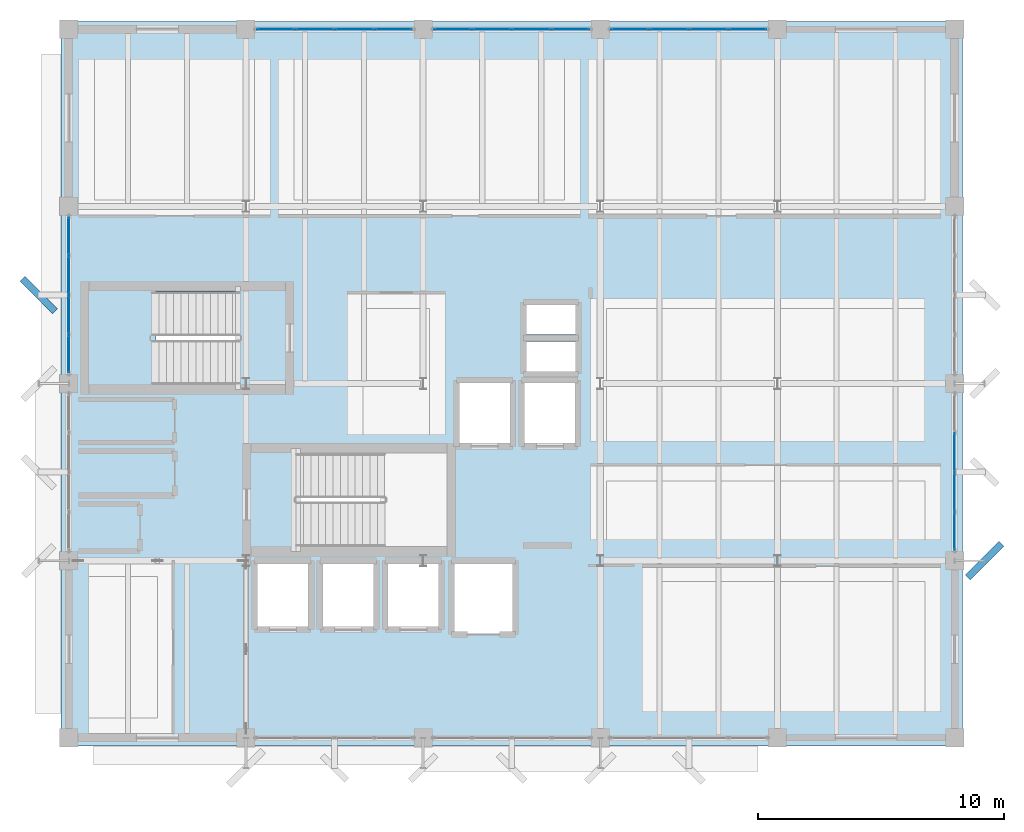
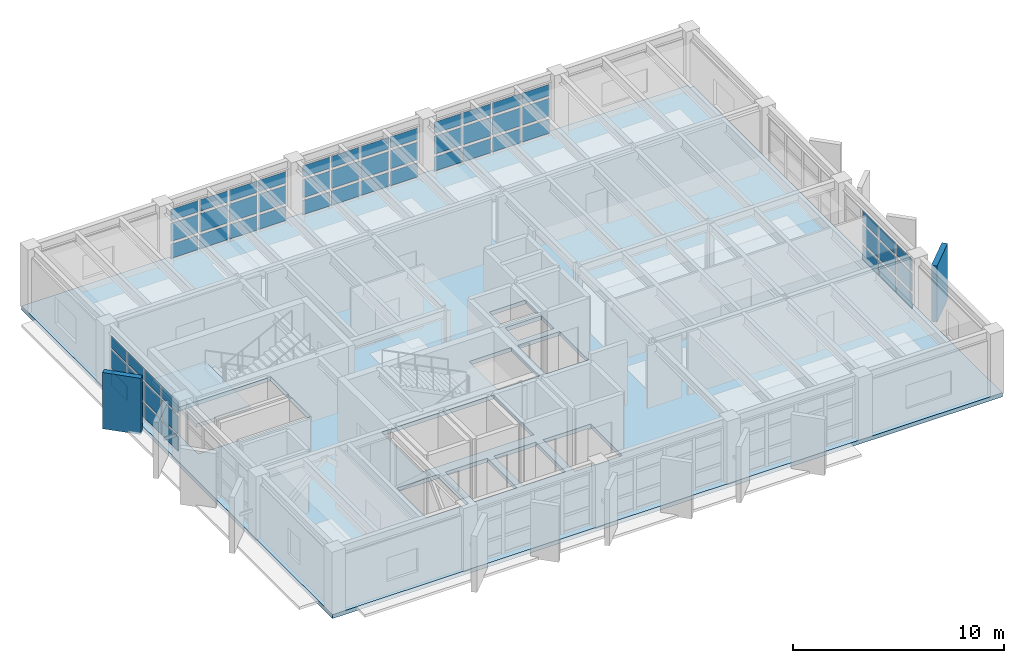
# One storey, part 15 of 24: 59 plates, 2 slabs, 6 elements without a shape of their own.
"""IFC4 building model written with IfcOpenShell, lengths in metres."""

import ifcopenshell
import ifcopenshell.guid

model = None  # the IFC model being written
_history = None  # IfcOwnerHistory: only IFC2X3 demands one
_inside = {}  # id of a spatial element -> (the spatial element, [elements in it])
_under = {}  # id of a project, library or spatial element -> (it, [spatial elements below it])
_declared = {}  # id of a project -> (the project, [libraries it declares])
_typed = {}  # id of a type object -> (the type object, [elements of that type])
_made_of = {}  # id of a material, layer set ... -> (it, [elements and type objects made of it])


def new_model(schema):
    """Start an empty IFC model of exactly this schema.

    Asked for "IFC4X3", IfcOpenShell would pick the latest addendum, in which some entities
    have other attributes; the version numbers below select the first issue.
    IFC2X3 requires an IfcOwnerHistory on every rooted entity: one is made here for all.
    """
    global model, _history
    if schema == "IFC4X3":
        model = ifcopenshell.file(schema_version=(4, 3, 0, 0))
    else:
        model = ifcopenshell.file(schema=schema)
    _inside.clear()
    _under.clear()
    _declared.clear()
    _typed.clear()
    _made_of.clear()
    _history = None
    if model.schema == "IFC2X3":
        org = make("IfcOrganization", Name="unknown")
        user = make(
            "IfcPersonAndOrganization",
            ThePerson=make("IfcPerson", FamilyName="unknown"),
            TheOrganization=org,
        )
        app = make(
            "IfcApplication",
            ApplicationDeveloper=org,
            Version="unknown",
            ApplicationFullName="unknown",
            ApplicationIdentifier="unknown",
        )
        _history = make(
            "IfcOwnerHistory",
            OwningUser=user,
            OwningApplication=app,
            ChangeAction="ADDED",
            CreationDate=0,
        )
    return model


def make(cls, **values):
    """One entity of the class cls with the attributes given. An attribute that is None is left unset."""
    return model.create_entity(
        cls, **{name: value for name, value in values.items() if value is not None}
    )


def rooted(cls, **values):
    """An entity with a GlobalId (a new one), such as an element, a storey or a relation."""
    return make(cls, GlobalId=ifcopenshell.guid.new(), OwnerHistory=_history, **values)


def si_unit(unit_type, name, prefix=None):
    """IfcSIUnit, for example si_unit("LENGTHUNIT", "METRE", prefix="MILLI")."""
    return make("IfcSIUnit", UnitType=unit_type, Prefix=prefix, Name=name)


def assignment(units):
    """IfcUnitAssignment: the units of a project."""
    return None if units is None else make("IfcUnitAssignment", Units=units)


def point(xyz):
    """IfcCartesianPoint."""
    return None if xyz is None else make("IfcCartesianPoint", Coordinates=xyz)


def direction(xyz):
    """IfcDirection."""
    return None if xyz is None else make("IfcDirection", DirectionRatios=xyz)


def frame(location, z_axis=None, x_axis=None):
    """IfcAxis2Placement3D, a coordinate frame: its origin and axes. An axis left out is left unset."""
    return make(
        "IfcAxis2Placement3D",
        Location=point(location),
        Axis=direction(z_axis),
        RefDirection=direction(x_axis),
    )


def frame_2d(location, x_axis=None):
    """IfcAxis2Placement2D, a coordinate frame in the plane: its origin and x axis."""
    return make(
        "IfcAxis2Placement2D", Location=point(location), RefDirection=direction(x_axis)
    )


def origin():
    """The frame at (0, 0, 0) with its axes left unset."""
    return frame((0.0, 0.0, 0.0))


def origin_2d():
    """The frame at (0, 0) in the plane with its x axis left unset."""
    return frame_2d((0.0, 0.0))


def place(relative_to, where):
    """IfcLocalPlacement: puts the frame where relative to a parent placement (None: the world)."""
    return make(
        "IfcLocalPlacement", PlacementRelTo=relative_to, RelativePlacement=where
    )


def context(
    kind, dimensions, precision=None, world=None, true_north=None, identifier=None
):
    """IfcGeometricRepresentationContext, for example the 3D "Model" context."""
    return make(
        "IfcGeometricRepresentationContext",
        ContextIdentifier=identifier,
        ContextType=kind,
        CoordinateSpaceDimension=dimensions,
        Precision=precision,
        WorldCoordinateSystem=world,
        TrueNorth=true_north,
    )


def subcontext(parent, identifier, kind, view, scale=None):
    """IfcGeometricRepresentationSubContext, for example "Body" below "Model"."""
    return make(
        "IfcGeometricRepresentationSubContext",
        ContextIdentifier=identifier,
        ContextType=kind,
        ParentContext=parent,
        TargetScale=scale,
        TargetView=view,
    )


def project(units=None, contexts=None):
    """IfcProject with its units and contexts."""
    return rooted(
        "IfcProject",
        Name="project",
        RepresentationContexts=contexts,
        UnitsInContext=assignment(units),
    )


def spatial(cls, under=None, at=None, **own):
    """A site, building, storey or space (cls), placed at a placement, below another one or the project."""
    s = rooted(cls, ObjectPlacement=at, **own)
    if under is not None:
        _under.setdefault(under.id(), (under, []))[1].append(s)
    return s


def polyline(points):
    """IfcPolyline through the points."""
    return make("IfcPolyline", Points=[point(p) for p in points])


def profile(cls, at=None, kind="AREA", **sizes):
    """A parametric profile (cls). Its sizes go by their IFC names, for example OverallWidth=200.0."""
    return make(cls, ProfileType=kind, Position=at, **sizes)


def rectangle(**sizes):
    """IfcRectangleProfileDef."""
    return profile("IfcRectangleProfileDef", **sizes)


def outline(outer, holes=None, kind="AREA"):
    """IfcArbitraryClosedProfileDef: a profile drawn as a closed curve; with holes, ...WithVoids."""
    if holes is None:
        return make("IfcArbitraryClosedProfileDef", ProfileType=kind, OuterCurve=outer)
    return make(
        "IfcArbitraryProfileDefWithVoids",
        ProfileType=kind,
        OuterCurve=outer,
        InnerCurves=holes,
    )


def extrude(swept, where, along, depth):
    """IfcExtrudedAreaSolid: the profile swept, set in the frame where, extruded along a direction by depth."""
    return make(
        "IfcExtrudedAreaSolid",
        SweptArea=swept,
        Position=where,
        ExtrudedDirection=direction(along),
        Depth=depth,
    )


def shape(context_of_items, identifier, shape_type, items):
    """IfcShapeRepresentation: the items that make up one representation, for example the "Body"."""
    return make(
        "IfcShapeRepresentation",
        ContextOfItems=context_of_items,
        RepresentationIdentifier=identifier,
        RepresentationType=shape_type,
        Items=items,
    )


def material(Name=None, Category=None):
    """IfcMaterial."""
    return make("IfcMaterial", Name=Name, Category=Category)


def layer(
    of_material, thickness, ventilated=None, Name=None, Category=None, Priority=None
):
    """IfcMaterialLayer: one layer of a wall or slab, of a material (None: an air gap)."""
    return make(
        "IfcMaterialLayer",
        Material=of_material,
        LayerThickness=thickness,
        IsVentilated=ventilated,
        Name=Name,
        Category=Category,
        Priority=Priority,
    )


def layer_set(layers, Name=None):
    """IfcMaterialLayerSet."""
    return make("IfcMaterialLayerSet", MaterialLayers=layers, LayerSetName=Name)


def made_of(thing, what):
    """Note that an element or type object is made of a material, layer set ...; save() writes the relation."""
    if what is not None:
        _made_of.setdefault(what.id(), (what, []))[1].append(thing)
    return thing


def type_object(cls, material=None, **own):
    """A type object (cls), such as IfcWallType, which elements share."""
    return made_of(rooted(cls, **own), material)


def element(
    cls,
    number,
    at=None,
    inside=None,
    cuts=None,
    type_object=None,
    material=None,
    context=None,
    identifier="Body",
    shape_type=None,
    held_by="IfcProductDefinitionShape",
    body=None,
    shapes=None,
    **own,
):
    """One element of the class cls, such as IfcWall. Its Tag is "e" and its number.

    at: its placement. inside: the storey or other place that contains it. cuts: it is an
    opening in that element (IfcRelVoidsElement). A single representation is given by context,
    identifier, shape_type and body (its items); several are given by shapes. held_by: the class
    of the entity that holds the representations. save() writes the other relations.
    """
    e = rooted(cls, Tag="e%d" % number, ObjectPlacement=at, **own)
    if body is not None:
        shapes = [shape(context, identifier, shape_type, body)]
    if shapes is not None:
        e.Representation = make(held_by, Representations=shapes)
    if inside is not None:
        _inside.setdefault(inside.id(), (inside, []))[1].append(e)
    if cuts is not None:
        rooted(
            "IfcRelVoidsElement", RelatingBuildingElement=cuts, RelatedOpeningElement=e
        )
    if type_object is not None:
        _typed.setdefault(type_object.id(), (type_object, []))[1].append(e)
    return made_of(e, material)


def aggregate(whole, parts):
    """IfcRelAggregates: a whole, such as a stair, and the parts it consists of."""
    return rooted("IfcRelAggregates", RelatingObject=whole, RelatedObjects=parts)


def save(model, path):
    """Write the relations noted so far, then the file.

    IfcRelAggregates (storeys below a building ...), IfcRelContainedInSpatialStructure (elements
    in a storey), IfcRelDefinesByType, IfcRelAssociatesMaterial and IfcRelDeclares: one each for
    every whole, place, type object, material and project.
    """
    for whole, parts in _under.values():
        aggregate(whole, parts)
    for where, things in _inside.values():
        rooted(
            "IfcRelContainedInSpatialStructure",
            RelatedElements=things,
            RelatingStructure=where,
        )
    for kind, things in _typed.values():
        rooted("IfcRelDefinesByType", RelatedObjects=things, RelatingType=kind)
    for what, things in _made_of.values():
        rooted("IfcRelAssociatesMaterial", RelatedObjects=things, RelatingMaterial=what)
    for by, libraries in _declared.values():
        rooted("IfcRelDeclares", RelatingContext=by, RelatedDefinitions=libraries)
    model.write(path)


model = new_model("IFC4")

# Units and contexts
model_context = context("Model", 3, precision=1e-05, world=origin(), true_north=direction((0.0, 1.0)))
body_context = subcontext(model_context, "Body", "Model", "MODEL_VIEW")
ifc_project = project(units=[si_unit("LENGTHUNIT", "METRE"), si_unit("AREAUNIT", "SQUARE_METRE"), si_unit("VOLUMEUNIT", "CUBIC_METRE"), si_unit("PLANEANGLEUNIT", "RADIAN"), si_unit("MASSUNIT", "GRAM", prefix="KILO")], contexts=[model_context])

# Site, building, storey
site_placement = place(None, origin())
site = spatial("IfcSite", under=ifc_project, at=site_placement, CompositionType="ELEMENT")
building_placement = place(site_placement, origin())
building = spatial("IfcBuilding", under=site, at=building_placement, Name="Kandorven Conservatory and Botanical Research Centre", CompositionType="ELEMENT")
storey_placement = place(building_placement, frame((0.0, 0.0, 24.89990234375)))
storey = spatial("IfcBuildingStorey", under=building, at=storey_placement, Name="L06", CompositionType="ELEMENT", Elevation=24.89990234375)

# Curtain wall, plates
ifc_material_1 = material(Name="Bronze anodised thermally broken aluminium", Category="aluminium")
ifc_layer_1 = layer(ifc_material_1, 0.179931640625)
ifc_layer_set_1 = layer_set([ifc_layer_1], Name="Bronze anodised thermally broken aluminium")
curtain_wall_type = type_object("IfcCurtainWallType", Name="CW_Unitised", PredefinedType="USERDEFINED", material=ifc_layer_set_1)
curtain_wall_1_placement = place(storey_placement, origin())
curtain_wall_1 = element("IfcCurtainWall", 1, at=curtain_wall_1_placement, inside=storey, type_object=curtain_wall_type, Name="Tower laboratory curtain wall CW-TWR-N-L06-2", ObjectType="UNITISED GLAZING", PredefinedType="USERDEFINED")
ifc_material_2 = material(Name="Double-glazed solar-control low-E glass", Category="glass")
ifc_layer_2 = layer(ifc_material_2, 0.028076171875)
ifc_layer_set_2 = layer_set([ifc_layer_2], Name="Double-glazed solar-control low-E glass")
plate_type_1 = type_object("IfcPlateType", Name="CW_Panel", PredefinedType="CURTAIN_PANEL", material=ifc_layer_set_2)
plate_1_placement = place(storey_placement, frame((14.4013671875, 34.800048828125, 0.14990234375), z_axis=(0.0, 0.0, 1.0), x_axis=(1.0, 0.0, 0.0)))
plate_1 = element("IfcPlate", 2, at=plate_1_placement, type_object=plate_type_1, Name="CW-01 panel 1.1", PredefinedType="CURTAIN_PANEL", context=body_context, shape_type="SweptSolid", body=[
    extrude(rectangle(XDim=1.492431640625, YDim=0.028076171875, at=origin_2d()), origin(), (0.0, 0.0, 1.0), 0.824951171875),
])
plate_2_placement = place(storey_placement, frame((14.4013671875, 34.800048828125, 1.125), z_axis=(0.0, 0.0, 1.0), x_axis=(1.0, 0.0, 0.0)))
plate_2 = element("IfcPlate", 3, at=plate_2_placement, type_object=plate_type_1, Name="CW-01 panel 1.2", PredefinedType="CURTAIN_PANEL", context=body_context, shape_type="SweptSolid", body=[
    extrude(rectangle(XDim=1.492431640625, YDim=0.028076171875, at=origin_2d()), origin(), (0.0, 0.0, 1.0), 1.050048828125),
])
plate_3_placement = place(storey_placement, frame((14.4013671875, 34.800048828125, 2.3251953125), z_axis=(0.0, 0.0, 1.0), x_axis=(1.0, 0.0, 0.0)))
plate_3 = element("IfcPlate", 4, at=plate_3_placement, type_object=plate_type_1, Name="CW-01 panel 1.3", PredefinedType="CURTAIN_PANEL", context=body_context, shape_type="SweptSolid", body=[
    extrude(rectangle(XDim=1.492431640625, YDim=0.028076171875, at=origin_2d()), origin(), (0.0, 0.0, 1.0), 0.655029296875),
])
plate_4_placement = place(storey_placement, frame((15.99365234375, 34.800048828125, 0.14990234375), z_axis=(0.0, 0.0, 1.0), x_axis=(1.0, 0.0, 0.0)))
plate_4 = element("IfcPlate", 5, at=plate_4_placement, type_object=plate_type_1, Name="CW-01 panel 2.1", PredefinedType="CURTAIN_PANEL", context=body_context, shape_type="SweptSolid", body=[
    extrude(rectangle(XDim=1.532470703125, YDim=0.028076171875, at=origin_2d()), origin(), (0.0, 0.0, 1.0), 0.824951171875),
])
plate_5_placement = place(storey_placement, frame((15.99365234375, 34.800048828125, 1.125), z_axis=(0.0, 0.0, 1.0), x_axis=(1.0, 0.0, 0.0)))
plate_5 = element("IfcPlate", 6, at=plate_5_placement, type_object=plate_type_1, Name="CW-01 panel 2.2", PredefinedType="CURTAIN_PANEL", context=body_context, shape_type="SweptSolid", body=[
    extrude(rectangle(XDim=1.532470703125, YDim=0.028076171875, at=origin_2d()), origin(), (0.0, 0.0, 1.0), 1.050048828125),
])
plate_6_placement = place(storey_placement, frame((15.99365234375, 34.800048828125, 2.3251953125), z_axis=(0.0, 0.0, 1.0), x_axis=(1.0, 0.0, 0.0)))
plate_6 = element("IfcPlate", 7, at=plate_6_placement, type_object=plate_type_1, Name="CW-01 panel 2.3", PredefinedType="CURTAIN_PANEL", context=body_context, shape_type="SweptSolid", body=[
    extrude(rectangle(XDim=1.532470703125, YDim=0.028076171875, at=origin_2d()), origin(), (0.0, 0.0, 1.0), 0.655029296875),
])
plate_7_placement = place(storey_placement, frame((17.606201171875, 34.800048828125, 0.14990234375), z_axis=(0.0, 0.0, 1.0), x_axis=(1.0, 0.0, 0.0)))
plate_7 = element("IfcPlate", 8, at=plate_7_placement, type_object=plate_type_1, Name="CW-01 panel 3.1", PredefinedType="CURTAIN_PANEL", context=body_context, shape_type="SweptSolid", body=[
    extrude(rectangle(XDim=1.532470703125, YDim=0.028076171875, at=origin_2d()), origin(), (0.0, 0.0, 1.0), 0.824951171875),
])
plate_8_placement = place(storey_placement, frame((17.606201171875, 34.800048828125, 1.125), z_axis=(0.0, 0.0, 1.0), x_axis=(1.0, 0.0, 0.0)))
plate_8 = element("IfcPlate", 9, at=plate_8_placement, type_object=plate_type_1, Name="CW-01 panel 3.2", PredefinedType="CURTAIN_PANEL", context=body_context, shape_type="SweptSolid", body=[
    extrude(rectangle(XDim=1.532470703125, YDim=0.028076171875, at=origin_2d()), origin(), (0.0, 0.0, 1.0), 1.050048828125),
])
plate_9_placement = place(storey_placement, frame((17.606201171875, 34.800048828125, 2.3251953125), z_axis=(0.0, 0.0, 1.0), x_axis=(1.0, 0.0, 0.0)))
plate_9 = element("IfcPlate", 10, at=plate_9_placement, type_object=plate_type_1, Name="CW-01 panel 3.3", PredefinedType="CURTAIN_PANEL", context=body_context, shape_type="SweptSolid", body=[
    extrude(rectangle(XDim=1.532470703125, YDim=0.028076171875, at=origin_2d()), origin(), (0.0, 0.0, 1.0), 0.655029296875),
])
plate_10_placement = place(storey_placement, frame((19.19873046875, 34.800048828125, 0.14990234375), z_axis=(0.0, 0.0, 1.0), x_axis=(1.0, 0.0, 0.0)))
plate_10 = element("IfcPlate", 11, at=plate_10_placement, type_object=plate_type_1, Name="CW-01 panel 4.1", PredefinedType="CURTAIN_PANEL", context=body_context, shape_type="SweptSolid", body=[
    extrude(rectangle(XDim=1.492431640625, YDim=0.028076171875, at=origin_2d()), origin(), (0.0, 0.0, 1.0), 0.824951171875),
])
plate_11_placement = place(storey_placement, frame((19.19873046875, 34.800048828125, 1.125), z_axis=(0.0, 0.0, 1.0), x_axis=(1.0, 0.0, 0.0)))
plate_11 = element("IfcPlate", 12, at=plate_11_placement, type_object=plate_type_1, Name="CW-01 panel 4.2", PredefinedType="CURTAIN_PANEL", context=body_context, shape_type="SweptSolid", body=[
    extrude(rectangle(XDim=1.492431640625, YDim=0.028076171875, at=origin_2d()), origin(), (0.0, 0.0, 1.0), 1.050048828125),
])
plate_12_placement = place(storey_placement, frame((19.19873046875, 34.800048828125, 2.3251953125), z_axis=(0.0, 0.0, 1.0), x_axis=(1.0, 0.0, 0.0)))
plate_12 = element("IfcPlate", 13, at=plate_12_placement, type_object=plate_type_1, Name="CW-01 panel 4.3", PredefinedType="CURTAIN_PANEL", context=body_context, shape_type="SweptSolid", body=[
    extrude(rectangle(XDim=1.492431640625, YDim=0.028076171875, at=origin_2d()), origin(), (0.0, 0.0, 1.0), 0.655029296875),
])
aggregate(curtain_wall_1, [plate_1, plate_2, plate_3, plate_4, plate_5, plate_6, plate_7, plate_8, plate_9, plate_10, plate_11, plate_12])

curtain_wall_2_placement = place(storey_placement, origin())
curtain_wall_2 = element("IfcCurtainWall", 14, at=curtain_wall_2_placement, inside=storey, type_object=curtain_wall_type, Name="Tower laboratory curtain wall CW-TWR-N-L06-3", ObjectType="UNITISED GLAZING", PredefinedType="USERDEFINED")
plate_13_placement = place(storey_placement, frame((21.601318359375, 34.800048828125, 0.14990234375), z_axis=(0.0, 0.0, 1.0), x_axis=(1.0, 0.0, 0.0)))
plate_13 = element("IfcPlate", 15, at=plate_13_placement, type_object=plate_type_1, Name="CW-01 panel 1.1", PredefinedType="CURTAIN_PANEL", context=body_context, shape_type="SweptSolid", body=[
    extrude(rectangle(XDim=1.492431640625, YDim=0.028076171875, at=origin_2d()), origin(), (0.0, 0.0, 1.0), 0.824951171875),
])
plate_14_placement = place(storey_placement, frame((21.601318359375, 34.800048828125, 1.125), z_axis=(0.0, 0.0, 1.0), x_axis=(1.0, 0.0, 0.0)))
plate_14 = element("IfcPlate", 16, at=plate_14_placement, type_object=plate_type_1, Name="CW-01 panel 1.2", PredefinedType="CURTAIN_PANEL", context=body_context, shape_type="SweptSolid", body=[
    extrude(rectangle(XDim=1.492431640625, YDim=0.028076171875, at=origin_2d()), origin(), (0.0, 0.0, 1.0), 1.050048828125),
])
plate_15_placement = place(storey_placement, frame((21.601318359375, 34.800048828125, 2.3251953125), z_axis=(0.0, 0.0, 1.0), x_axis=(1.0, 0.0, 0.0)))
plate_15 = element("IfcPlate", 17, at=plate_15_placement, type_object=plate_type_1, Name="CW-01 panel 1.3", PredefinedType="CURTAIN_PANEL", context=body_context, shape_type="SweptSolid", body=[
    extrude(rectangle(XDim=1.492431640625, YDim=0.028076171875, at=origin_2d()), origin(), (0.0, 0.0, 1.0), 0.655029296875),
])
plate_16_placement = place(storey_placement, frame((23.19384765625, 34.800048828125, 0.14990234375), z_axis=(0.0, 0.0, 1.0), x_axis=(1.0, 0.0, 0.0)))
plate_16 = element("IfcPlate", 18, at=plate_16_placement, type_object=plate_type_1, Name="CW-01 panel 2.1", PredefinedType="CURTAIN_PANEL", context=body_context, shape_type="SweptSolid", body=[
    extrude(rectangle(XDim=1.532470703125, YDim=0.028076171875, at=origin_2d()), origin(), (0.0, 0.0, 1.0), 0.824951171875),
])
plate_17_placement = place(storey_placement, frame((23.19384765625, 34.800048828125, 1.125), z_axis=(0.0, 0.0, 1.0), x_axis=(1.0, 0.0, 0.0)))
plate_17 = element("IfcPlate", 19, at=plate_17_placement, type_object=plate_type_1, Name="CW-01 panel 2.2", PredefinedType="CURTAIN_PANEL", context=body_context, shape_type="SweptSolid", body=[
    extrude(rectangle(XDim=1.532470703125, YDim=0.028076171875, at=origin_2d()), origin(), (0.0, 0.0, 1.0), 1.050048828125),
])
plate_18_placement = place(storey_placement, frame((23.19384765625, 34.800048828125, 2.3251953125), z_axis=(0.0, 0.0, 1.0), x_axis=(1.0, 0.0, 0.0)))
plate_18 = element("IfcPlate", 20, at=plate_18_placement, type_object=plate_type_1, Name="CW-01 panel 2.3", PredefinedType="CURTAIN_PANEL", context=body_context, shape_type="SweptSolid", body=[
    extrude(rectangle(XDim=1.532470703125, YDim=0.028076171875, at=origin_2d()), origin(), (0.0, 0.0, 1.0), 0.655029296875),
])
plate_19_placement = place(storey_placement, frame((24.80615234375, 34.800048828125, 0.14990234375), z_axis=(0.0, 0.0, 1.0), x_axis=(1.0, 0.0, 0.0)))
plate_19 = element("IfcPlate", 21, at=plate_19_placement, type_object=plate_type_1, Name="CW-01 panel 3.1", PredefinedType="CURTAIN_PANEL", context=body_context, shape_type="SweptSolid", body=[
    extrude(rectangle(XDim=1.532470703125, YDim=0.028076171875, at=origin_2d()), origin(), (0.0, 0.0, 1.0), 0.824951171875),
])
plate_20_placement = place(storey_placement, frame((24.80615234375, 34.800048828125, 1.125), z_axis=(0.0, 0.0, 1.0), x_axis=(1.0, 0.0, 0.0)))
plate_20 = element("IfcPlate", 22, at=plate_20_placement, type_object=plate_type_1, Name="CW-01 panel 3.2", PredefinedType="CURTAIN_PANEL", context=body_context, shape_type="SweptSolid", body=[
    extrude(rectangle(XDim=1.532470703125, YDim=0.028076171875, at=origin_2d()), origin(), (0.0, 0.0, 1.0), 1.050048828125),
])
plate_21_placement = place(storey_placement, frame((24.80615234375, 34.800048828125, 2.3251953125), z_axis=(0.0, 0.0, 1.0), x_axis=(1.0, 0.0, 0.0)))
plate_21 = element("IfcPlate", 23, at=plate_21_placement, type_object=plate_type_1, Name="CW-01 panel 3.3", PredefinedType="CURTAIN_PANEL", context=body_context, shape_type="SweptSolid", body=[
    extrude(rectangle(XDim=1.532470703125, YDim=0.028076171875, at=origin_2d()), origin(), (0.0, 0.0, 1.0), 0.655029296875),
])
plate_22_placement = place(storey_placement, frame((26.398681640625, 34.800048828125, 0.14990234375), z_axis=(0.0, 0.0, 1.0), x_axis=(1.0, 0.0, 0.0)))
plate_22 = element("IfcPlate", 24, at=plate_22_placement, type_object=plate_type_1, Name="CW-01 panel 4.1", PredefinedType="CURTAIN_PANEL", context=body_context, shape_type="SweptSolid", body=[
    extrude(rectangle(XDim=1.492431640625, YDim=0.028076171875, at=origin_2d()), origin(), (0.0, 0.0, 1.0), 0.824951171875),
])
plate_23_placement = place(storey_placement, frame((26.398681640625, 34.800048828125, 1.125), z_axis=(0.0, 0.0, 1.0), x_axis=(1.0, 0.0, 0.0)))
plate_23 = element("IfcPlate", 25, at=plate_23_placement, type_object=plate_type_1, Name="CW-01 panel 4.2", PredefinedType="CURTAIN_PANEL", context=body_context, shape_type="SweptSolid", body=[
    extrude(rectangle(XDim=1.492431640625, YDim=0.028076171875, at=origin_2d()), origin(), (0.0, 0.0, 1.0), 1.050048828125),
])
plate_24_placement = place(storey_placement, frame((26.398681640625, 34.800048828125, 2.3251953125), z_axis=(0.0, 0.0, 1.0), x_axis=(1.0, 0.0, 0.0)))
plate_24 = element("IfcPlate", 26, at=plate_24_placement, type_object=plate_type_1, Name="CW-01 panel 4.3", PredefinedType="CURTAIN_PANEL", context=body_context, shape_type="SweptSolid", body=[
    extrude(rectangle(XDim=1.492431640625, YDim=0.028076171875, at=origin_2d()), origin(), (0.0, 0.0, 1.0), 0.655029296875),
])
aggregate(curtain_wall_2, [plate_13, plate_14, plate_15, plate_16, plate_17, plate_18, plate_19, plate_20, plate_21, plate_22, plate_23, plate_24])

curtain_wall_3_placement = place(storey_placement, origin())
curtain_wall_3 = element("IfcCurtainWall", 27, at=curtain_wall_3_placement, inside=storey, type_object=curtain_wall_type, Name="Tower laboratory curtain wall CW-TWR-N-L06-4", ObjectType="UNITISED GLAZING", PredefinedType="USERDEFINED")
plate_25_placement = place(storey_placement, frame((28.80126953125, 34.800048828125, 0.14990234375), z_axis=(0.0, 0.0, 1.0), x_axis=(1.0, 0.0, 0.0)))
plate_25 = element("IfcPlate", 28, at=plate_25_placement, type_object=plate_type_1, Name="CW-01 panel 1.1", PredefinedType="CURTAIN_PANEL", context=body_context, shape_type="SweptSolid", body=[
    extrude(rectangle(XDim=1.492431640625, YDim=0.028076171875, at=origin_2d()), origin(), (0.0, 0.0, 1.0), 0.824951171875),
])
plate_26_placement = place(storey_placement, frame((28.80126953125, 34.800048828125, 1.125), z_axis=(0.0, 0.0, 1.0), x_axis=(1.0, 0.0, 0.0)))
plate_26 = element("IfcPlate", 29, at=plate_26_placement, type_object=plate_type_1, Name="CW-01 panel 1.2", PredefinedType="CURTAIN_PANEL", context=body_context, shape_type="SweptSolid", body=[
    extrude(rectangle(XDim=1.492431640625, YDim=0.028076171875, at=origin_2d()), origin(), (0.0, 0.0, 1.0), 1.050048828125),
])
plate_27_placement = place(storey_placement, frame((28.80126953125, 34.800048828125, 2.3251953125), z_axis=(0.0, 0.0, 1.0), x_axis=(1.0, 0.0, 0.0)))
plate_27 = element("IfcPlate", 30, at=plate_27_placement, type_object=plate_type_1, Name="CW-01 panel 1.3", PredefinedType="CURTAIN_PANEL", context=body_context, shape_type="SweptSolid", body=[
    extrude(rectangle(XDim=1.492431640625, YDim=0.028076171875, at=origin_2d()), origin(), (0.0, 0.0, 1.0), 0.655029296875),
])
plate_28_placement = place(storey_placement, frame((30.393798828125, 34.800048828125, 0.14990234375), z_axis=(0.0, 0.0, 1.0), x_axis=(1.0, 0.0, 0.0)))
plate_28 = element("IfcPlate", 31, at=plate_28_placement, type_object=plate_type_1, Name="CW-01 panel 2.1", PredefinedType="CURTAIN_PANEL", context=body_context, shape_type="SweptSolid", body=[
    extrude(rectangle(XDim=1.532470703125, YDim=0.028076171875, at=origin_2d()), origin(), (0.0, 0.0, 1.0), 0.824951171875),
])
plate_29_placement = place(storey_placement, frame((30.393798828125, 34.800048828125, 1.125), z_axis=(0.0, 0.0, 1.0), x_axis=(1.0, 0.0, 0.0)))
plate_29 = element("IfcPlate", 32, at=plate_29_placement, type_object=plate_type_1, Name="CW-01 panel 2.2", PredefinedType="CURTAIN_PANEL", context=body_context, shape_type="SweptSolid", body=[
    extrude(rectangle(XDim=1.532470703125, YDim=0.028076171875, at=origin_2d()), origin(), (0.0, 0.0, 1.0), 1.050048828125),
])
plate_30_placement = place(storey_placement, frame((30.393798828125, 34.800048828125, 2.3251953125), z_axis=(0.0, 0.0, 1.0), x_axis=(1.0, 0.0, 0.0)))
plate_30 = element("IfcPlate", 33, at=plate_30_placement, type_object=plate_type_1, Name="CW-01 panel 2.3", PredefinedType="CURTAIN_PANEL", context=body_context, shape_type="SweptSolid", body=[
    extrude(rectangle(XDim=1.532470703125, YDim=0.028076171875, at=origin_2d()), origin(), (0.0, 0.0, 1.0), 0.655029296875),
])
plate_31_placement = place(storey_placement, frame((32.00634765625, 34.800048828125, 0.14990234375), z_axis=(0.0, 0.0, 1.0), x_axis=(1.0, 0.0, 0.0)))
plate_31 = element("IfcPlate", 34, at=plate_31_placement, type_object=plate_type_1, Name="CW-01 panel 3.1", PredefinedType="CURTAIN_PANEL", context=body_context, shape_type="SweptSolid", body=[
    extrude(rectangle(XDim=1.532470703125, YDim=0.028076171875, at=origin_2d()), origin(), (0.0, 0.0, 1.0), 0.824951171875),
])
plate_32_placement = place(storey_placement, frame((32.00634765625, 34.800048828125, 1.125), z_axis=(0.0, 0.0, 1.0), x_axis=(1.0, 0.0, 0.0)))
plate_32 = element("IfcPlate", 35, at=plate_32_placement, type_object=plate_type_1, Name="CW-01 panel 3.2", PredefinedType="CURTAIN_PANEL", context=body_context, shape_type="SweptSolid", body=[
    extrude(rectangle(XDim=1.532470703125, YDim=0.028076171875, at=origin_2d()), origin(), (0.0, 0.0, 1.0), 1.050048828125),
])
plate_33_placement = place(storey_placement, frame((32.00634765625, 34.800048828125, 2.3251953125), z_axis=(0.0, 0.0, 1.0), x_axis=(1.0, 0.0, 0.0)))
plate_33 = element("IfcPlate", 36, at=plate_33_placement, type_object=plate_type_1, Name="CW-01 panel 3.3", PredefinedType="CURTAIN_PANEL", context=body_context, shape_type="SweptSolid", body=[
    extrude(rectangle(XDim=1.532470703125, YDim=0.028076171875, at=origin_2d()), origin(), (0.0, 0.0, 1.0), 0.655029296875),
])
plate_34_placement = place(storey_placement, frame((33.5986328125, 34.800048828125, 0.14990234375), z_axis=(0.0, 0.0, 1.0), x_axis=(1.0, 0.0, 0.0)))
plate_34 = element("IfcPlate", 37, at=plate_34_placement, type_object=plate_type_1, Name="CW-01 panel 4.1", PredefinedType="CURTAIN_PANEL", context=body_context, shape_type="SweptSolid", body=[
    extrude(rectangle(XDim=1.492431640625, YDim=0.028076171875, at=origin_2d()), origin(), (0.0, 0.0, 1.0), 0.824951171875),
])
plate_35_placement = place(storey_placement, frame((33.5986328125, 34.800048828125, 1.125), z_axis=(0.0, 0.0, 1.0), x_axis=(1.0, 0.0, 0.0)))
plate_35 = element("IfcPlate", 38, at=plate_35_placement, type_object=plate_type_1, Name="CW-01 panel 4.2", PredefinedType="CURTAIN_PANEL", context=body_context, shape_type="SweptSolid", body=[
    extrude(rectangle(XDim=1.492431640625, YDim=0.028076171875, at=origin_2d()), origin(), (0.0, 0.0, 1.0), 1.050048828125),
])
plate_36_placement = place(storey_placement, frame((33.5986328125, 34.800048828125, 2.3251953125), z_axis=(0.0, 0.0, 1.0), x_axis=(1.0, 0.0, 0.0)))
plate_36 = element("IfcPlate", 39, at=plate_36_placement, type_object=plate_type_1, Name="CW-01 panel 4.3", PredefinedType="CURTAIN_PANEL", context=body_context, shape_type="SweptSolid", body=[
    extrude(rectangle(XDim=1.492431640625, YDim=0.028076171875, at=origin_2d()), origin(), (0.0, 0.0, 1.0), 0.655029296875),
])
aggregate(curtain_wall_3, [plate_25, plate_26, plate_27, plate_28, plate_29, plate_30, plate_31, plate_32, plate_33, plate_34, plate_35, plate_36])

curtain_wall_4_placement = place(storey_placement, origin())
curtain_wall_4 = element("IfcCurtainWall", 40, at=curtain_wall_4_placement, inside=storey, type_object=curtain_wall_type, Name="Tower laboratory curtain wall CW-TWR-W-L06-3", ObjectType="UNITISED GLAZING", PredefinedType="USERDEFINED")
plate_37_placement = place(storey_placement, frame((6.0, 21.601318359375, 0.14990234375), z_axis=(0.0, 0.0, 1.0), x_axis=(0.0, 1.0, 0.0)))
plate_37 = element("IfcPlate", 41, at=plate_37_placement, type_object=plate_type_1, Name="CW-01 panel 1.1", PredefinedType="CURTAIN_PANEL", context=body_context, shape_type="SweptSolid", body=[
    extrude(rectangle(XDim=1.492431640625, YDim=0.028076171875, at=origin_2d()), origin(), (0.0, 0.0, 1.0), 0.824951171875),
])
plate_38_placement = place(storey_placement, frame((6.0, 21.601318359375, 1.125), z_axis=(0.0, 0.0, 1.0), x_axis=(0.0, 1.0, 0.0)))
plate_38 = element("IfcPlate", 42, at=plate_38_placement, type_object=plate_type_1, Name="CW-01 panel 1.2", PredefinedType="CURTAIN_PANEL", context=body_context, shape_type="SweptSolid", body=[
    extrude(rectangle(XDim=1.492431640625, YDim=0.028076171875, at=origin_2d()), origin(), (0.0, 0.0, 1.0), 1.050048828125),
])
plate_39_placement = place(storey_placement, frame((6.0, 21.601318359375, 2.3251953125), z_axis=(0.0, 0.0, 1.0), x_axis=(0.0, 1.0, 0.0)))
plate_39 = element("IfcPlate", 43, at=plate_39_placement, type_object=plate_type_1, Name="CW-01 panel 1.3", PredefinedType="CURTAIN_PANEL", context=body_context, shape_type="SweptSolid", body=[
    extrude(rectangle(XDim=1.492431640625, YDim=0.028076171875, at=origin_2d()), origin(), (0.0, 0.0, 1.0), 0.655029296875),
])
plate_40_placement = place(storey_placement, frame((6.0, 23.19384765625, 0.14990234375), z_axis=(0.0, 0.0, 1.0), x_axis=(0.0, 1.0, 0.0)))
plate_40 = element("IfcPlate", 44, at=plate_40_placement, type_object=plate_type_1, Name="CW-01 panel 2.1", PredefinedType="CURTAIN_PANEL", context=body_context, shape_type="SweptSolid", body=[
    extrude(rectangle(XDim=1.532470703125, YDim=0.028076171875, at=origin_2d()), origin(), (0.0, 0.0, 1.0), 0.824951171875),
])
plate_41_placement = place(storey_placement, frame((6.0, 23.19384765625, 1.125), z_axis=(0.0, 0.0, 1.0), x_axis=(0.0, 1.0, 0.0)))
plate_41 = element("IfcPlate", 45, at=plate_41_placement, type_object=plate_type_1, Name="CW-01 panel 2.2", PredefinedType="CURTAIN_PANEL", context=body_context, shape_type="SweptSolid", body=[
    extrude(rectangle(XDim=1.532470703125, YDim=0.028076171875, at=origin_2d()), origin(), (0.0, 0.0, 1.0), 1.050048828125),
])
plate_42_placement = place(storey_placement, frame((6.0, 23.19384765625, 2.3251953125), z_axis=(0.0, 0.0, 1.0), x_axis=(0.0, 1.0, 0.0)))
plate_42 = element("IfcPlate", 46, at=plate_42_placement, type_object=plate_type_1, Name="CW-01 panel 2.3", PredefinedType="CURTAIN_PANEL", context=body_context, shape_type="SweptSolid", body=[
    extrude(rectangle(XDim=1.532470703125, YDim=0.028076171875, at=origin_2d()), origin(), (0.0, 0.0, 1.0), 0.655029296875),
])
plate_43_placement = place(storey_placement, frame((6.0, 24.80615234375, 0.14990234375), z_axis=(0.0, 0.0, 1.0), x_axis=(0.0, 1.0, 0.0)))
plate_43 = element("IfcPlate", 47, at=plate_43_placement, type_object=plate_type_1, Name="CW-01 panel 3.1", PredefinedType="CURTAIN_PANEL", context=body_context, shape_type="SweptSolid", body=[
    extrude(rectangle(XDim=1.532470703125, YDim=0.028076171875, at=origin_2d()), origin(), (0.0, 0.0, 1.0), 0.824951171875),
])
plate_44_placement = place(storey_placement, frame((6.0, 24.80615234375, 1.125), z_axis=(0.0, 0.0, 1.0), x_axis=(0.0, 1.0, 0.0)))
plate_44 = element("IfcPlate", 48, at=plate_44_placement, type_object=plate_type_1, Name="CW-01 panel 3.2", PredefinedType="CURTAIN_PANEL", context=body_context, shape_type="SweptSolid", body=[
    extrude(rectangle(XDim=1.532470703125, YDim=0.028076171875, at=origin_2d()), origin(), (0.0, 0.0, 1.0), 1.050048828125),
])
plate_45_placement = place(storey_placement, frame((6.0, 24.80615234375, 2.3251953125), z_axis=(0.0, 0.0, 1.0), x_axis=(0.0, 1.0, 0.0)))
plate_45 = element("IfcPlate", 49, at=plate_45_placement, type_object=plate_type_1, Name="CW-01 panel 3.3", PredefinedType="CURTAIN_PANEL", context=body_context, shape_type="SweptSolid", body=[
    extrude(rectangle(XDim=1.532470703125, YDim=0.028076171875, at=origin_2d()), origin(), (0.0, 0.0, 1.0), 0.655029296875),
])
plate_46_placement = place(storey_placement, frame((6.0, 26.398681640625, 0.14990234375), z_axis=(0.0, 0.0, 1.0), x_axis=(0.0, 1.0, 0.0)))
plate_46 = element("IfcPlate", 50, at=plate_46_placement, type_object=plate_type_1, Name="CW-01 panel 4.1", PredefinedType="CURTAIN_PANEL", context=body_context, shape_type="SweptSolid", body=[
    extrude(rectangle(XDim=1.492431640625, YDim=0.028076171875, at=origin_2d()), origin(), (0.0, 0.0, 1.0), 0.824951171875),
])
plate_47_placement = place(storey_placement, frame((6.0, 26.398681640625, 1.125), z_axis=(0.0, 0.0, 1.0), x_axis=(0.0, 1.0, 0.0)))
plate_47 = element("IfcPlate", 51, at=plate_47_placement, type_object=plate_type_1, Name="CW-01 panel 4.2", PredefinedType="CURTAIN_PANEL", context=body_context, shape_type="SweptSolid", body=[
    extrude(rectangle(XDim=1.492431640625, YDim=0.028076171875, at=origin_2d()), origin(), (0.0, 0.0, 1.0), 1.050048828125),
])
plate_48_placement = place(storey_placement, frame((6.0, 26.398681640625, 2.3251953125), z_axis=(0.0, 0.0, 1.0), x_axis=(0.0, 1.0, 0.0)))
plate_48 = element("IfcPlate", 52, at=plate_48_placement, type_object=plate_type_1, Name="CW-01 panel 4.3", PredefinedType="CURTAIN_PANEL", context=body_context, shape_type="SweptSolid", body=[
    extrude(rectangle(XDim=1.492431640625, YDim=0.028076171875, at=origin_2d()), origin(), (0.0, 0.0, 1.0), 0.655029296875),
])
aggregate(curtain_wall_4, [plate_37, plate_38, plate_39, plate_40, plate_41, plate_42, plate_43, plate_44, plate_45, plate_46, plate_47, plate_48])

curtain_wall_5_placement = place(storey_placement, origin())
curtain_wall_5 = element("IfcCurtainWall", 53, at=curtain_wall_5_placement, inside=storey, type_object=curtain_wall_type, Name="Tower laboratory curtain wall CW-TWR-E-L06-2", ObjectType="UNITISED GLAZING", PredefinedType="USERDEFINED")
plate_49_placement = place(storey_placement, frame((42.0, 14.4013671875, 0.14990234375), z_axis=(0.0, 0.0, 1.0), x_axis=(0.0, 1.0, 0.0)))
plate_49 = element("IfcPlate", 54, at=plate_49_placement, type_object=plate_type_1, Name="CW-01 panel 1.1", PredefinedType="CURTAIN_PANEL", context=body_context, shape_type="SweptSolid", body=[
    extrude(rectangle(XDim=1.492431640625, YDim=0.028076171875, at=origin_2d()), origin(), (0.0, 0.0, 1.0), 0.824951171875),
])
plate_50_placement = place(storey_placement, frame((42.0, 14.4013671875, 1.125), z_axis=(0.0, 0.0, 1.0), x_axis=(0.0, 1.0, 0.0)))
plate_50 = element("IfcPlate", 55, at=plate_50_placement, type_object=plate_type_1, Name="CW-01 panel 1.2", PredefinedType="CURTAIN_PANEL", context=body_context, shape_type="SweptSolid", body=[
    extrude(rectangle(XDim=1.492431640625, YDim=0.028076171875, at=origin_2d()), origin(), (0.0, 0.0, 1.0), 1.050048828125),
])
plate_51_placement = place(storey_placement, frame((42.0, 14.4013671875, 2.3251953125), z_axis=(0.0, 0.0, 1.0), x_axis=(0.0, 1.0, 0.0)))
plate_51 = element("IfcPlate", 56, at=plate_51_placement, type_object=plate_type_1, Name="CW-01 panel 1.3", PredefinedType="CURTAIN_PANEL", context=body_context, shape_type="SweptSolid", body=[
    extrude(rectangle(XDim=1.492431640625, YDim=0.028076171875, at=origin_2d()), origin(), (0.0, 0.0, 1.0), 0.655029296875),
])
plate_52_placement = place(storey_placement, frame((42.0, 15.99365234375, 0.14990234375), z_axis=(0.0, 0.0, 1.0), x_axis=(0.0, 1.0, 0.0)))
plate_52 = element("IfcPlate", 57, at=plate_52_placement, type_object=plate_type_1, Name="CW-01 panel 2.1", PredefinedType="CURTAIN_PANEL", context=body_context, shape_type="SweptSolid", body=[
    extrude(rectangle(XDim=1.532470703125, YDim=0.028076171875, at=origin_2d()), origin(), (0.0, 0.0, 1.0), 0.824951171875),
])
plate_53_placement = place(storey_placement, frame((42.0, 15.99365234375, 1.125), z_axis=(0.0, 0.0, 1.0), x_axis=(0.0, 1.0, 0.0)))
plate_53 = element("IfcPlate", 58, at=plate_53_placement, type_object=plate_type_1, Name="CW-01 panel 2.2", PredefinedType="CURTAIN_PANEL", context=body_context, shape_type="SweptSolid", body=[
    extrude(rectangle(XDim=1.532470703125, YDim=0.028076171875, at=origin_2d()), origin(), (0.0, 0.0, 1.0), 1.050048828125),
])
plate_54_placement = place(storey_placement, frame((42.0, 15.99365234375, 2.3251953125), z_axis=(0.0, 0.0, 1.0), x_axis=(0.0, 1.0, 0.0)))
plate_54 = element("IfcPlate", 59, at=plate_54_placement, type_object=plate_type_1, Name="CW-01 panel 2.3", PredefinedType="CURTAIN_PANEL", context=body_context, shape_type="SweptSolid", body=[
    extrude(rectangle(XDim=1.532470703125, YDim=0.028076171875, at=origin_2d()), origin(), (0.0, 0.0, 1.0), 0.655029296875),
])
plate_55_placement = place(storey_placement, frame((42.0, 17.606201171875, 0.14990234375), z_axis=(0.0, 0.0, 1.0), x_axis=(0.0, 1.0, 0.0)))
plate_55 = element("IfcPlate", 60, at=plate_55_placement, type_object=plate_type_1, Name="CW-01 panel 3.1", PredefinedType="CURTAIN_PANEL", context=body_context, shape_type="SweptSolid", body=[
    extrude(rectangle(XDim=1.532470703125, YDim=0.028076171875, at=origin_2d()), origin(), (0.0, 0.0, 1.0), 0.824951171875),
])
plate_56_placement = place(storey_placement, frame((42.0, 17.606201171875, 1.125), z_axis=(0.0, 0.0, 1.0), x_axis=(0.0, 1.0, 0.0)))
plate_56 = element("IfcPlate", 61, at=plate_56_placement, type_object=plate_type_1, Name="CW-01 panel 3.2", PredefinedType="CURTAIN_PANEL", context=body_context, shape_type="SweptSolid", body=[
    extrude(rectangle(XDim=1.532470703125, YDim=0.028076171875, at=origin_2d()), origin(), (0.0, 0.0, 1.0), 1.050048828125),
])
plate_57_placement = place(storey_placement, frame((42.0, 17.606201171875, 2.3251953125), z_axis=(0.0, 0.0, 1.0), x_axis=(0.0, 1.0, 0.0)))
plate_57 = element("IfcPlate", 62, at=plate_57_placement, type_object=plate_type_1, Name="CW-01 panel 3.3", PredefinedType="CURTAIN_PANEL", context=body_context, shape_type="SweptSolid", body=[
    extrude(rectangle(XDim=1.532470703125, YDim=0.028076171875, at=origin_2d()), origin(), (0.0, 0.0, 1.0), 0.655029296875),
])
aggregate(curtain_wall_5, [plate_49, plate_50, plate_51, plate_52, plate_53, plate_54, plate_55, plate_56, plate_57])

# Plates
ifc_material_3 = material(Name="Precast concrete C40/50 (M50)", Category="concrete")
ifc_layer_3 = layer(ifc_material_3, 0.280029296875)
ifc_layer_set_3 = layer_set([ifc_layer_3], Name="Precast concrete C40/50 (M50)")
plate_type_2 = type_object("IfcPlateType", Name="Fin_BF-09", PredefinedType="USERDEFINED", material=ifc_layer_set_3)
plate_58_placement = place(storey_placement, frame((4.780029296875, 24.0, -0.119873046875), z_axis=(0.0, 0.0, 1.0), x_axis=(-0.707106781187, 0.707106781187, 0.0)))
element("IfcPlate", 63, at=plate_58_placement, inside=storey, type_object=plate_type_2, Name="Sculpted board-marked concrete brise-soleil fin BF-09", ObjectType="SOLAR FIN", PredefinedType="USERDEFINED", context=body_context, shape_type="SweptSolid", body=[
    extrude(rectangle(XDim=1.8798828125, YDim=0.280029296875, at=origin_2d()), origin(), (0.0, 0.0, 1.0), 3.25),
])
ifc_material_4 = material(Name="Precast concrete C40/50 (M50)", Category="concrete")
ifc_layer_4 = layer(ifc_material_4, 0.284912109375)
ifc_layer_set_4 = layer_set([ifc_layer_4], Name="Precast concrete C40/50 (M50)")
plate_type_3 = type_object("IfcPlateType", Name="Fin_BF-10", PredefinedType="USERDEFINED", material=ifc_layer_set_4)
plate_59_placement = place(storey_placement, frame((43.219970703125, 13.199951171875, -0.119873046875), z_axis=(0.0, 0.0, 1.0), x_axis=(0.707106781187, 0.707106781187, 0.0)))
element("IfcPlate", 64, at=plate_59_placement, inside=storey, type_object=plate_type_3, Name="Sculpted board-marked concrete brise-soleil fin BF-10", ObjectType="SOLAR FIN", PredefinedType="USERDEFINED", context=body_context, shape_type="SweptSolid", body=[
    extrude(rectangle(XDim=1.93994140625, YDim=0.284912109375, at=origin_2d()), origin(), (0.0, 0.0, 1.0), 3.25),
])

# Slab
ifc_material_5 = material(Name="Concrete C32/40 (M40)", Category="concrete")
ifc_layer_5 = layer(ifc_material_5, 0.22998046875)
ifc_layer_set_5 = layer_set([ifc_layer_5], Name="Concrete C32/40 (M40)")
slab_type_1 = type_object("IfcSlabType", Name="Slab_SL-08", PredefinedType="FLOOR", material=ifc_layer_set_5)
slab_1_placement = place(storey_placement, frame((0.0, 0.0, -0.22998046875)))
element("IfcSlab", 65, at=slab_1_placement, inside=storey, type_object=slab_type_1, Name="Tower floor slab L06", PredefinedType="FLOOR", context=body_context, shape_type="SweptSolid", body=[
    extrude(outline(polyline([(5.679931640625, 5.679931640625), (42.320068359375, 5.679931640625), (42.320068359375, 34.919921875), (42.1201171875, 34.919921875), (42.1201171875, 35.1201171875), (5.679931640625, 35.1201171875), (5.679931640625, 5.679931640625)]), holes=[polyline([(15.239990234375, 13.780029296875), (21.3798828125, 13.780029296875), (21.3798828125, 17.570068359375), (15.239990234375, 17.570068359375), (15.239990234375, 13.780029296875)]), polyline([(12.9599609375, 24.14990234375), (6.820068359375, 24.14990234375), (6.820068359375, 20.360107421875), (12.9599609375, 20.360107421875), (12.9599609375, 24.14990234375)]), polyline([(21.75, 17.85009765625), (24.050048828125, 17.85009765625), (24.050048828125, 20.550048828125), (21.75, 20.550048828125), (21.75, 17.85009765625)]), polyline([(24.39990234375, 17.85009765625), (26.699951171875, 17.85009765625), (26.699951171875, 20.550048828125), (24.39990234375, 20.550048828125), (24.39990234375, 17.85009765625)]), polyline([(13.550048828125, 10.39990234375), (15.85009765625, 10.39990234375), (15.85009765625, 13.199951171875), (13.550048828125, 13.199951171875), (13.550048828125, 10.39990234375)]), polyline([(16.199951171875, 10.39990234375), (18.5, 10.39990234375), (18.5, 13.199951171875), (16.199951171875, 13.199951171875), (16.199951171875, 10.39990234375)]), polyline([(18.85009765625, 10.39990234375), (21.14990234375, 10.39990234375), (21.14990234375, 13.199951171875), (18.85009765625, 13.199951171875), (18.85009765625, 10.39990234375)]), polyline([(21.550048828125, 10.199951171875), (24.14990234375, 10.199951171875), (24.14990234375, 13.199951171875), (21.550048828125, 13.199951171875), (21.550048828125, 10.199951171875)]), polyline([(24.60009765625, 20.89990234375), (26.60009765625, 20.89990234375), (26.60009765625, 22.10009765625), (24.60009765625, 22.10009765625), (24.60009765625, 20.89990234375)]), polyline([(24.60009765625, 22.39990234375), (26.60009765625, 22.39990234375), (26.60009765625, 23.60009765625), (24.60009765625, 23.60009765625), (24.60009765625, 22.39990234375)])]), origin(), (0.0, 0.0, 1.0), 0.22998046875),
])

# Stair, slab
ifc_material_6 = material(Name="Concrete C32/40 (M40)", Category="concrete")
stair_type = type_object("IfcStairType", Name="Stair_1820", PredefinedType="HALF_TURN_STAIR", material=ifc_material_6)
stair_placement = place(storey_placement, origin())
stair = element("IfcStair", 66, at=stair_placement, inside=storey, type_object=stair_type, Name="L06 Tower Fire Stair ST-T2", PredefinedType="HALF_TURN_STAIR")
ifc_material_7 = material(Name="Concrete C32/40 (M40)", Category="concrete")
ifc_layer_6 = layer(ifc_material_7, 0.199951171875)
ifc_layer_set_6 = layer_set([ifc_layer_6], Name="Concrete C32/40 (M40)")
slab_type_2 = type_object("IfcSlabType", Name="StairLanding_200", PredefinedType="LANDING", material=ifc_layer_set_6)
slab_2_placement = place(storey_placement, frame((0.0, 0.0, 1.75)))
slab_2 = element("IfcSlab", 67, at=slab_2_placement, type_object=slab_type_2, Name="ST-T2 landing 1", PredefinedType="LANDING", context=body_context, shape_type="SweptSolid", body=[
    extrude(outline(polyline([(9.54052734375, 24.389892578125), (6.580078125, 24.389892578125), (6.580078125, 20.1201171875), (9.54052734375, 20.1201171875), (9.54052734375, 24.389892578125)])), origin(), (0.0, 0.0, 1.0), 0.2001953125),
])
aggregate(stair, [slab_2])

save(model, "model.ifc")
